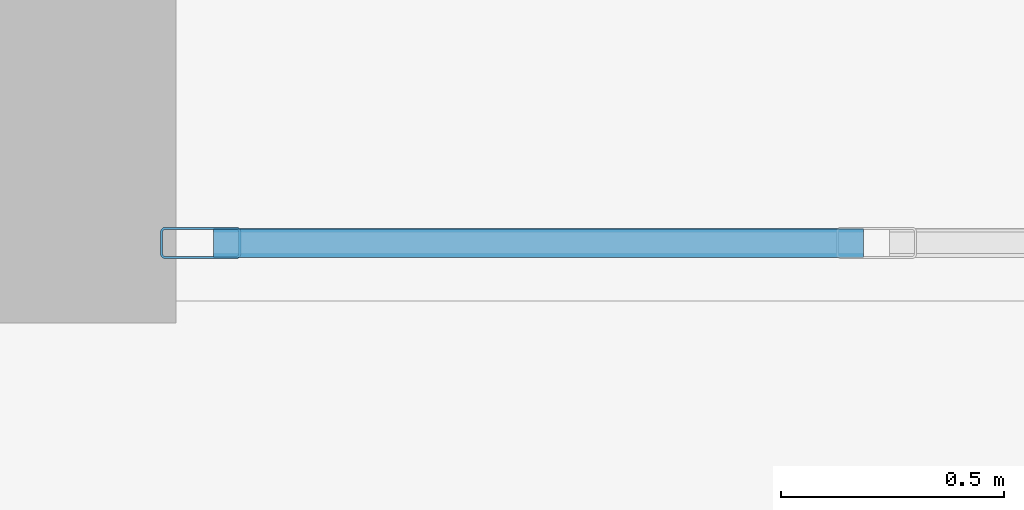
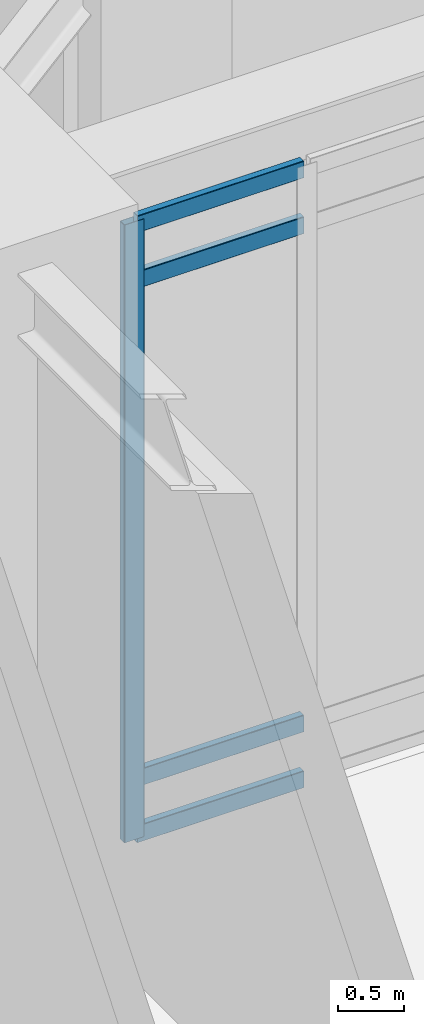
# One storey, part 2 of 27: 5 members, 1 element without a shape of its own.
"""IFC4 building model written with IfcOpenShell, lengths in metres."""

from ifc_helpers import new_model, si_unit, direction, frame, origin, origin_2d, place, context, subcontext, project, spatial, hollow_rectangle, extrude, material, layer, layer_set, material_profile, profile_set, type_object, element, aggregate, save


model = new_model("IFC4")

# Units and contexts
model_context = context("Model", 3, precision=1e-05, world=origin(), true_north=direction((0.0, 1.0)))
body_context = subcontext(model_context, "Body", "Model", "MODEL_VIEW")
ifc_project = project(units=[si_unit("LENGTHUNIT", "METRE"), si_unit("AREAUNIT", "SQUARE_METRE"), si_unit("VOLUMEUNIT", "CUBIC_METRE"), si_unit("PLANEANGLEUNIT", "RADIAN"), si_unit("MASSUNIT", "GRAM", prefix="KILO")], contexts=[model_context])

# Site, building, storey
site_placement = place(None, origin())
site = spatial("IfcSite", under=ifc_project, at=site_placement, CompositionType="ELEMENT")
building_placement = place(site_placement, origin())
building = spatial("IfcBuilding", under=site, at=building_placement, Name="Ndelora Gate Hotel", CompositionType="ELEMENT")
storey_placement = place(building_placement, origin())
storey = spatial("IfcBuildingStorey", under=building, at=storey_placement, Name="L00", CompositionType="ELEMENT", Elevation=0.0)

# Curtain wall, members
ifc_material_1 = material(Name="Bronze Anodised Unitised Aluminium and Low-E Glass", Category="aluminium")
ifc_layer = layer(ifc_material_1, 0.239990234375)
ifc_layer_set = layer_set([ifc_layer], Name="Bronze Anodised Unitised Aluminium and Low-E Glass")
curtain_wall_type = type_object("IfcCurtainWallType", Name="CW-SYS-1", PredefinedType="NOTDEFINED", material=ifc_layer_set)
curtain_wall_placement = place(storey_placement, origin())
curtain_wall = element("IfcCurtainWall", 1, at=curtain_wall_placement, inside=storey, type_object=curtain_wall_type, Name="L00 South Portal Arch Concourse Curtain Wall CW1", PredefinedType="NOTDEFINED")
ifc_material_2 = material(Name="Bronze Anodised Aluminium 6063-T6", Category="aluminium")
ifc_material_profile_1 = material_profile(ifc_material_2, hollow_rectangle(XDim=0.070068359375, YDim=0.179931640625, WallThickness=0.0048828125, InnerFilletRadius=0.0048828125, OuterFilletRadius=0.010009765625, at=origin_2d()), Name="ALU 180x70x5")
ifc_profile_set_1 = profile_set([ifc_material_profile_1], Name="Bronze Anodised Aluminium 6063-T6")
member_type_1 = type_object("IfcMemberType", Name="MB-CW-MUL180", PredefinedType="MULLION", material=ifc_profile_set_1)
member_1_placement = place(storey_placement, frame((-10.044921875, -10.320068359375, -0.00390625), z_axis=(0.0, 0.0, 1.0), x_axis=(0.0, 1.0, 0.0)))
member_1 = element("IfcMember", 2, at=member_1_placement, type_object=member_type_1, Name="CW1 mullion 1", PredefinedType="MULLION", context=body_context, shape_type="SweptSolid", body=[
    extrude(hollow_rectangle(XDim=0.070068359375, YDim=0.179931640625, WallThickness=0.0048828125, InnerFilletRadius=0.0048828125, OuterFilletRadius=0.010009765625, at=origin_2d()), origin(), (0.0, 0.0, 1.0), 5.72802734375),
])
ifc_material_profile_2 = material_profile(ifc_material_2, hollow_rectangle(XDim=0.06494140625, YDim=0.159912109375, WallThickness=0.00390625, InnerFilletRadius=0.00390625, OuterFilletRadius=0.008056640625, at=origin_2d()), Name="ALU 160x65x4")
ifc_profile_set_2 = profile_set([ifc_material_profile_2], Name="Bronze Anodised Aluminium 6063-T6")
member_type_2 = type_object("IfcMemberType", Name="MB-CW-TRN150", PredefinedType="USERDEFINED", material=ifc_profile_set_2)
member_2_placement = place(storey_placement, frame((-10.01611328125, -10.320068359375, 0.032470703125), z_axis=(1.0, 0.0, 0.0), x_axis=(0.0, 1.0, 0.0)))
member_2 = element("IfcMember", 3, at=member_2_placement, type_object=member_type_2, Name="CW1 transom 1.1", ObjectType="TRANSOM", PredefinedType="USERDEFINED", context=body_context, shape_type="SweptSolid", body=[
    extrude(hollow_rectangle(XDim=0.06494140625, YDim=0.159912109375, WallThickness=0.00390625, InnerFilletRadius=0.00390625, OuterFilletRadius=0.008056640625, at=origin_2d()), origin(), (0.0, 0.0, 1.0), 1.457763671875),
])
member_3_placement = place(storey_placement, frame((-10.01611328125, -10.320068359375, 0.550048828125), z_axis=(1.0, 0.0, 0.0), x_axis=(0.0, 1.0, 0.0)))
member_3 = element("IfcMember", 4, at=member_3_placement, type_object=member_type_2, Name="CW1 transom 1.2", ObjectType="TRANSOM", PredefinedType="USERDEFINED", context=body_context, shape_type="SweptSolid", body=[
    extrude(hollow_rectangle(XDim=0.06494140625, YDim=0.159912109375, WallThickness=0.00390625, InnerFilletRadius=0.00390625, OuterFilletRadius=0.008056640625, at=origin_2d()), origin(), (0.0, 0.0, 1.0), 1.457763671875),
])
member_4_placement = place(storey_placement, frame((-10.01611328125, -10.320068359375, 5.169921875), z_axis=(1.0, 0.0, 0.0), x_axis=(0.0, 1.0, 0.0)))
member_4 = element("IfcMember", 5, at=member_4_placement, type_object=member_type_2, Name="CW1 transom 1.3", ObjectType="TRANSOM", PredefinedType="USERDEFINED", context=body_context, shape_type="SweptSolid", body=[
    extrude(hollow_rectangle(XDim=0.06494140625, YDim=0.159912109375, WallThickness=0.00390625, InnerFilletRadius=0.00390625, OuterFilletRadius=0.008056640625, at=origin_2d()), origin(), (0.0, 0.0, 1.0), 1.457763671875),
])
member_5_placement = place(storey_placement, frame((-10.01611328125, -10.320068359375, 5.6875), z_axis=(1.0, 0.0, 0.0), x_axis=(0.0, 1.0, 0.0)))
member_5 = element("IfcMember", 6, at=member_5_placement, type_object=member_type_2, Name="CW1 transom 1.4", ObjectType="TRANSOM", PredefinedType="USERDEFINED", context=body_context, shape_type="SweptSolid", body=[
    extrude(hollow_rectangle(XDim=0.06494140625, YDim=0.159912109375, WallThickness=0.00390625, InnerFilletRadius=0.00390625, OuterFilletRadius=0.008056640625, at=origin_2d()), origin(), (0.0, 0.0, 1.0), 1.457763671875),
])
aggregate(curtain_wall, [member_1, member_2, member_3, member_4, member_5])

save(model, "model.ifc")
